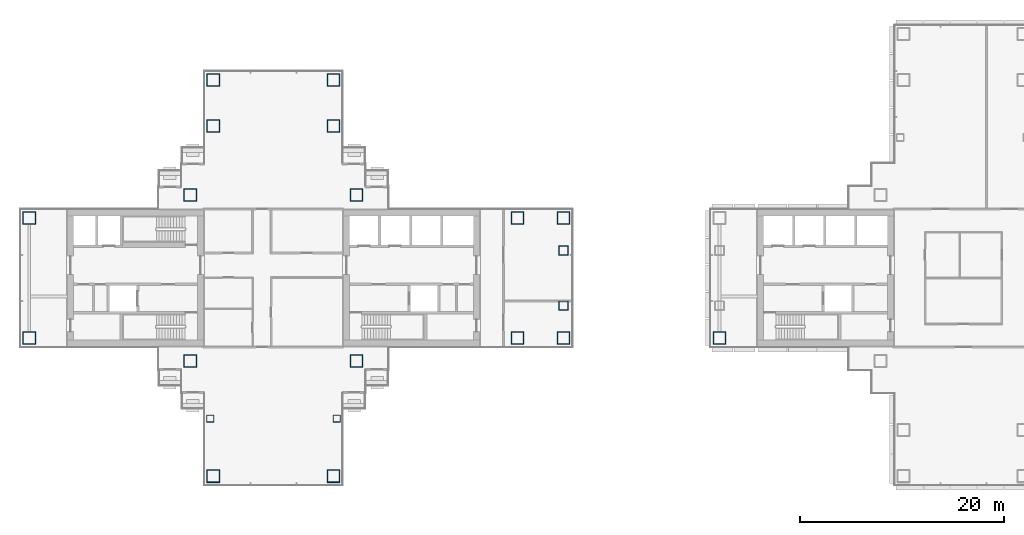
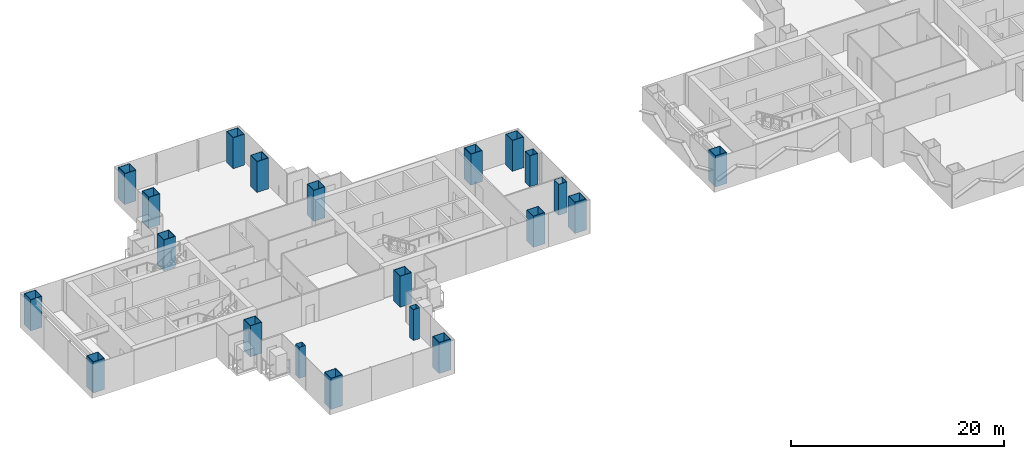
# One storey, part 1 of 19: 21 columns.
"""IFC4 building model written with IfcOpenShell, lengths in metres."""

from ifc_helpers import new_model, si_unit, direction, frame, origin, origin_2d, place, context, subcontext, project, spatial, hollow_rectangle, extrude, material, material_profile, profile_set, type_object, element, save


model = new_model("IFC4")

# Units and contexts
model_context = context("Model", 3, precision=1e-05, world=origin(), true_north=direction((0.0, 1.0)))
body_context = subcontext(model_context, "Body", "Model", "MODEL_VIEW")
ifc_project = project(units=[si_unit("LENGTHUNIT", "METRE"), si_unit("AREAUNIT", "SQUARE_METRE"), si_unit("VOLUMEUNIT", "CUBIC_METRE"), si_unit("PLANEANGLEUNIT", "RADIAN"), si_unit("MASSUNIT", "GRAM", prefix="KILO")], contexts=[model_context])

# Site, building, storey
site_placement = place(None, origin())
site = spatial("IfcSite", under=ifc_project, at=site_placement, CompositionType="ELEMENT")
building_placement = place(site_placement, origin())
building = spatial("IfcBuilding", under=site, at=building_placement, Name="Shamsa Quay Exchange Towers", CompositionType="ELEMENT")
storey_placement = place(building_placement, frame((0.0, 0.0, 85.800048828125)))
storey = spatial("IfcBuildingStorey", under=building, at=storey_placement, Name="L19", CompositionType="ELEMENT", Elevation=85.800048828125)

# Columns
ifc_material_1 = material(Name="Concrete-filled steel tube S355 / C80/95", Category="concrete")
ifc_material_profile_1 = material_profile(ifc_material_1, hollow_rectangle(XDim=1.25, YDim=1.25, WallThickness=0.050048828125, at=origin_2d()), Name="CFT 1250x1250x50")
ifc_profile_set_1 = profile_set([ifc_material_profile_1], Name="Concrete-filled steel tube S355 / C80/95")
column_type_1 = type_object("IfcColumnType", Name="Column CFT 1250x1250x50", PredefinedType="COLUMN", material=ifc_profile_set_1)
for number, where, name in (
    (1, (-25.625, 8.125, 0.0), "Mega column T1-CM01"),
    (2, (-25.625, -8.125, 0.0), "Mega column T1-CM02"),
    (3, (-41.875, 8.125, 0.0), "Mega column T1-CM03"),
    (4, (-41.875, -8.125, 0.0), "Mega column T1-CM04"),
    (5, (-9.875, -5.875, 0.0), "Mega column T1-CM05"),
    (6, (-5.375, -5.875, 0.0), "Mega column T1-CM06"),
    (7, (-9.875, 5.875, 0.0), "Mega column T1-CM07"),
    (8, (-5.375, 5.875, 0.0), "Mega column T1-CM08"),
    (9, (-57.625, -5.875, 0.0), "Mega column T1-CM09"),
    (10, (-57.625, 5.875, 0.0), "Mega column T1-CM11"),
    (11, (-39.625, 14.875, 0.0), "Mega column T1-CM13"),
    (12, (-39.625, 19.375, 0.0), "Mega column T1-CM14"),
    (13, (-27.875, 14.875, 0.0), "Mega column T1-CM16"),
    (14, (-27.875, 19.375, 0.0), "Mega column T1-CM17"),
    (15, (-39.625, -19.375, 0.0), "Mega column T1-CM20"),
    (16, (-27.875, -19.375, 0.0), "Mega column T1-CM23"),
    (17, (9.875, -5.875, 0.0), "Mega column T2-CM19"),
):
    element("IfcColumn", number, at=place(storey_placement, frame(where)), inside=storey, type_object=column_type_1, Name=name, PredefinedType="COLUMN", context=body_context, shape_type="SweptSolid", body=[
        extrude(hollow_rectangle(XDim=1.25, YDim=1.25, WallThickness=0.050048828125, at=origin_2d()), origin(), (0.0, 0.0, 1.0), 3.550048828125),
    ])
ifc_material_2 = material(Name="Concrete-filled steel tube S355 / C60/75", Category="concrete")
ifc_material_profile_2 = material_profile(ifc_material_2, hollow_rectangle(XDim=0.699951171875, YDim=0.699951171875, WallThickness=0.02490234375, at=origin_2d()), Name="CFT 700x700x25")
ifc_profile_set_2 = profile_set([ifc_material_profile_2], Name="Concrete-filled steel tube S355 / C60/75")
column_type_2 = type_object("IfcColumnType", Name="Column CFT 700x700x25", PredefinedType="COLUMN", material=ifc_profile_set_2)
for number, where, name in (
    (18, (-39.9375, -13.75, 0.0), "Perimeter column T1-CP19"),
    (19, (-27.5625, -13.75, 0.0), "Perimeter column T1-CP22"),
):
    element("IfcColumn", number, at=place(storey_placement, frame(where)), inside=storey, type_object=column_type_2, Name=name, PredefinedType="COLUMN", context=body_context, shape_type="SweptSolid", body=[
        extrude(hollow_rectangle(XDim=0.699951171875, YDim=0.699951171875, WallThickness=0.02490234375, at=origin_2d()), origin(), (0.0, 0.0, 1.0), 3.550048828125),
    ])
ifc_material_3 = material(Name="Concrete-filled steel tube S355 / C70/85", Category="concrete")
ifc_material_profile_3 = material_profile(ifc_material_3, hollow_rectangle(XDim=0.89990234375, YDim=0.89990234375, WallThickness=0.035888671875, at=origin_2d()), Name="CFT 900x900x36")
ifc_profile_set_3 = profile_set([ifc_material_profile_3], Name="Concrete-filled steel tube S355 / C70/85")
column_type_3 = type_object("IfcColumnType", Name="Landing column CFT 900x900x36", PredefinedType="COLUMN", material=ifc_profile_set_3)
for number, where, name in (
    (20, (-5.375, -2.699951171875, 0.0), "Landing column T1 S"),
    (21, (-5.375, 2.699951171875, 0.0), "Landing column T1 N"),
):
    element("IfcColumn", number, at=place(storey_placement, frame(where)), inside=storey, type_object=column_type_3, Name=name, PredefinedType="COLUMN", context=body_context, shape_type="SweptSolid", body=[
        extrude(hollow_rectangle(XDim=0.89990234375, YDim=0.89990234375, WallThickness=0.035888671875, at=origin_2d()), origin(), (0.0, 0.0, 1.0), 3.550048828125),
    ])

save(model, "model.ifc")
